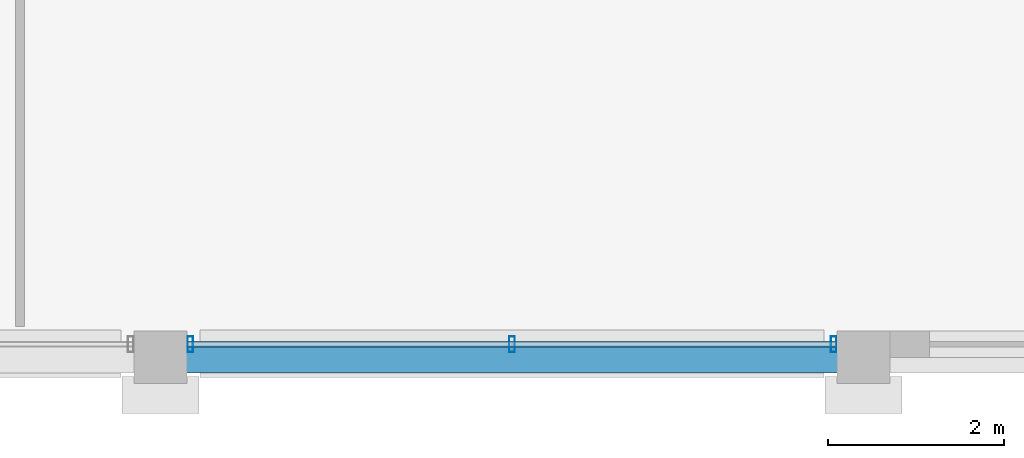
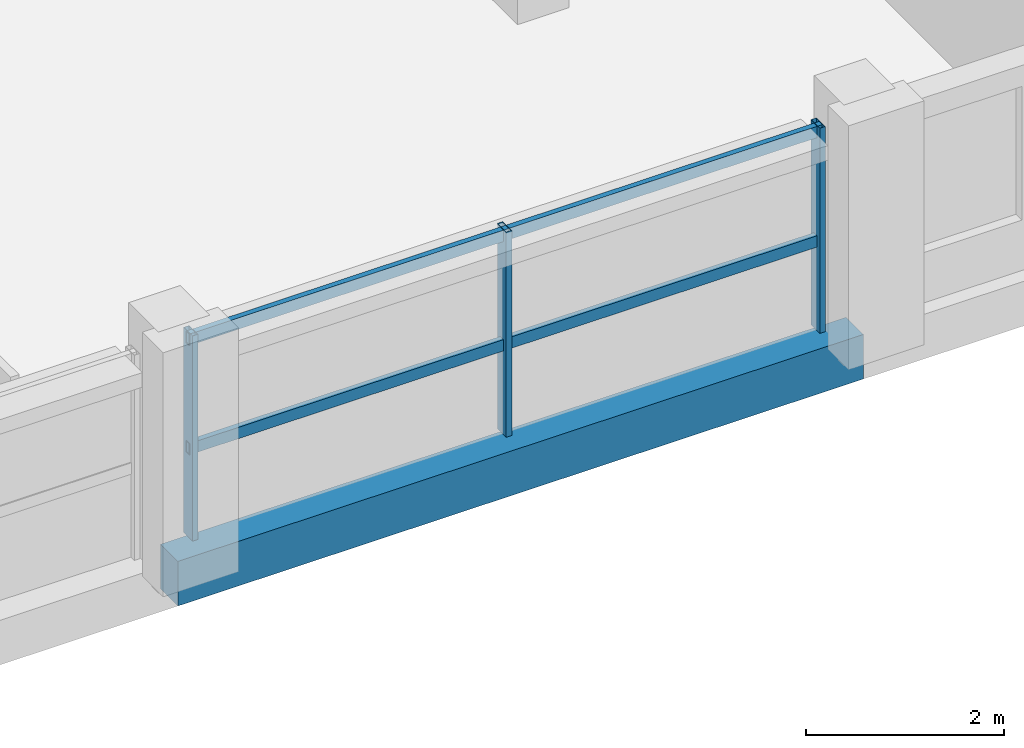
# One storey, part 9 of 24: 5 members, 1 beam, 1 element without a shape of its own.
"""IFC4 building model written with IfcOpenShell, lengths in metres."""

from ifc_helpers import new_model, si_unit, direction, frame, origin, origin_2d, place, context, subcontext, project, spatial, rectangle, hollow_rectangle, extrude, material, material_profile, profile_set, type_object, element, aggregate, save


model = new_model("IFC4")

# Units and contexts
model_context = context("Model", 3, precision=1e-05, world=origin(), true_north=direction((0.0, 1.0)))
body_context = subcontext(model_context, "Body", "Model", "MODEL_VIEW")
ifc_project = project(units=[si_unit("LENGTHUNIT", "METRE"), si_unit("AREAUNIT", "SQUARE_METRE"), si_unit("VOLUMEUNIT", "CUBIC_METRE"), si_unit("PLANEANGLEUNIT", "RADIAN"), si_unit("MASSUNIT", "GRAM", prefix="KILO")], contexts=[model_context])

# Site, building, storey
site_placement = place(None, origin())
site = spatial("IfcSite", under=ifc_project, at=site_placement, CompositionType="ELEMENT")
building_placement = place(site_placement, origin())
building = spatial("IfcBuilding", under=site, at=building_placement, Name="Akrevak Sports Hall", CompositionType="ELEMENT")
storey_placement = place(building_placement, frame((0.0, 0.0, 63.300048828125)))
storey = spatial("IfcBuildingStorey", under=building, at=storey_placement, Name="L16", CompositionType="ELEMENT", Elevation=63.300048828125)

# Curtain wall, members
ifc_material_1 = material(Name="Anodized Bronze Aluminium & Low-E Glass", Category="aluminium")
curtain_wall_type = type_object("IfcCurtainWallType", Name="ARC-CW-TWR-72x30", PredefinedType="NOTDEFINED", material=ifc_material_1)
curtain_wall_placement = place(storey_placement, origin())
curtain_wall = element("IfcCurtainWall", 1, at=curtain_wall_placement, inside=storey, type_object=curtain_wall_type, Name="Curtain Wall CW-L16-S05", PredefinedType="NOTDEFINED")
ifc_material_2 = material(Name="Anodized Bronze Aluminium", Category="aluminium")
ifc_material_profile_1 = material_profile(ifc_material_2, hollow_rectangle(XDim=0.06494140625, YDim=0.179931640625, WallThickness=0.00390625, at=origin_2d()), Name="CWM 65x180", Category="aluminium")
ifc_profile_set_1 = profile_set([ifc_material_profile_1], Name="Anodized Bronze Aluminium")
member_type_1 = type_object("IfcMemberType", Name="ARC-CWM-65x140", PredefinedType="MULLION", material=ifc_profile_set_1)
member_1_placement = place(storey_placement, frame((84.340087890625, 35.550048828125, 0.0), z_axis=(0.0, 0.0, 1.0), x_axis=(1.0, 0.0, 0.0)))
member_1 = element("IfcMember", 2, at=member_1_placement, type_object=member_type_1, Name="Curtain Wall Mullion CW-L16-S05-M1", PredefinedType="MULLION", context=body_context, shape_type="SweptSolid", body=[
    extrude(hollow_rectangle(XDim=0.06494140625, YDim=0.179931640625, WallThickness=0.00390625, at=origin_2d()), origin(), (0.0, 0.0, 1.0), 2.530029296875),
])
member_2_placement = place(storey_placement, frame((88.0, 35.550048828125, 0.0), z_axis=(0.0, 0.0, 1.0), x_axis=(1.0, 0.0, 0.0)))
member_2 = element("IfcMember", 3, at=member_2_placement, type_object=member_type_1, Name="Curtain Wall Mullion CW-L16-S05-M2", PredefinedType="MULLION", context=body_context, shape_type="SweptSolid", body=[
    extrude(hollow_rectangle(XDim=0.06494140625, YDim=0.179931640625, WallThickness=0.00390625, at=origin_2d()), origin(), (0.0, 0.0, 1.0), 2.530029296875),
])
member_3_placement = place(storey_placement, frame((91.659912109375, 35.550048828125, 0.0), z_axis=(0.0, 0.0, 1.0), x_axis=(1.0, 0.0, 0.0)))
member_3 = element("IfcMember", 4, at=member_3_placement, type_object=member_type_1, Name="Curtain Wall Mullion CW-L16-S05-M3", PredefinedType="MULLION", context=body_context, shape_type="SweptSolid", body=[
    extrude(hollow_rectangle(XDim=0.06494140625, YDim=0.179931640625, WallThickness=0.00390625, at=origin_2d()), origin(), (0.0, 0.0, 1.0), 2.530029296875),
])
ifc_material_profile_2 = material_profile(ifc_material_2, hollow_rectangle(XDim=0.06494140625, YDim=0.139892578125, WallThickness=0.00390625, at=origin_2d()), Name="CWT 65x140", Category="aluminium")
ifc_profile_set_2 = profile_set([ifc_material_profile_2], Name="Anodized Bronze Aluminium")
member_type_2 = type_object("IfcMemberType", Name="ARC-CWT-65x110", PredefinedType="USERDEFINED", material=ifc_profile_set_2)
member_4_placement = place(storey_placement, frame((84.300048828125, 35.550048828125, 1.099853515625), z_axis=(1.0, 0.0, 0.0), x_axis=(0.0, 1.0, 0.0)))
member_4 = element("IfcMember", 5, at=member_4_placement, type_object=member_type_2, Name="Curtain Wall Transom CW-L16-S05-T1", ObjectType="TRANSOM", PredefinedType="USERDEFINED", context=body_context, shape_type="SweptSolid", body=[
    extrude(hollow_rectangle(XDim=0.06494140625, YDim=0.139892578125, WallThickness=0.00390625, at=origin_2d()), origin(), (0.0, 0.0, 1.0), 7.39990234375),
])
member_5_placement = place(storey_placement, frame((84.300048828125, 35.550048828125, 2.449951171875), z_axis=(1.0, 0.0, 0.0), x_axis=(0.0, 1.0, 0.0)))
member_5 = element("IfcMember", 6, at=member_5_placement, type_object=member_type_2, Name="Curtain Wall Transom CW-L16-S05-T2", ObjectType="TRANSOM", PredefinedType="USERDEFINED", context=body_context, shape_type="SweptSolid", body=[
    extrude(hollow_rectangle(XDim=0.06494140625, YDim=0.139892578125, WallThickness=0.00390625, at=origin_2d()), origin(), (0.0, 0.0, 1.0), 7.39990234375),
])
aggregate(curtain_wall, [member_1, member_2, member_3, member_4, member_5])

# Beam
ifc_material_3 = material(Name="Concrete C40/50", Category="concrete")
ifc_material_profile_3 = material_profile(ifc_material_3, rectangle(XDim=0.35009765625, YDim=0.550048828125, at=origin_2d()), Name="BM 350x550", Category="concrete")
ifc_profile_set_3 = profile_set([ifc_material_profile_3], Name="Concrete C40/50")
beam_type = type_object("IfcBeamType", Name="STR-BM-RC350x550", PredefinedType="BEAM", material=ifc_profile_set_3)
beam_placement = place(storey_placement, frame((84.0, 35.39990234375, -0.275146484375), z_axis=(1.0, 0.0, 0.0), x_axis=(0.0, 1.0, 0.0)))
element("IfcBeam", 7, at=beam_placement, inside=storey, type_object=beam_type, Name="Girder F/12-13 (L16)", PredefinedType="BEAM", context=body_context, shape_type="SweptSolid", body=[
    extrude(rectangle(XDim=0.35009765625, YDim=0.550048828125, at=origin_2d()), origin(), (0.0, 0.0, 1.0), 8.0),
])

save(model, "model.ifc")
